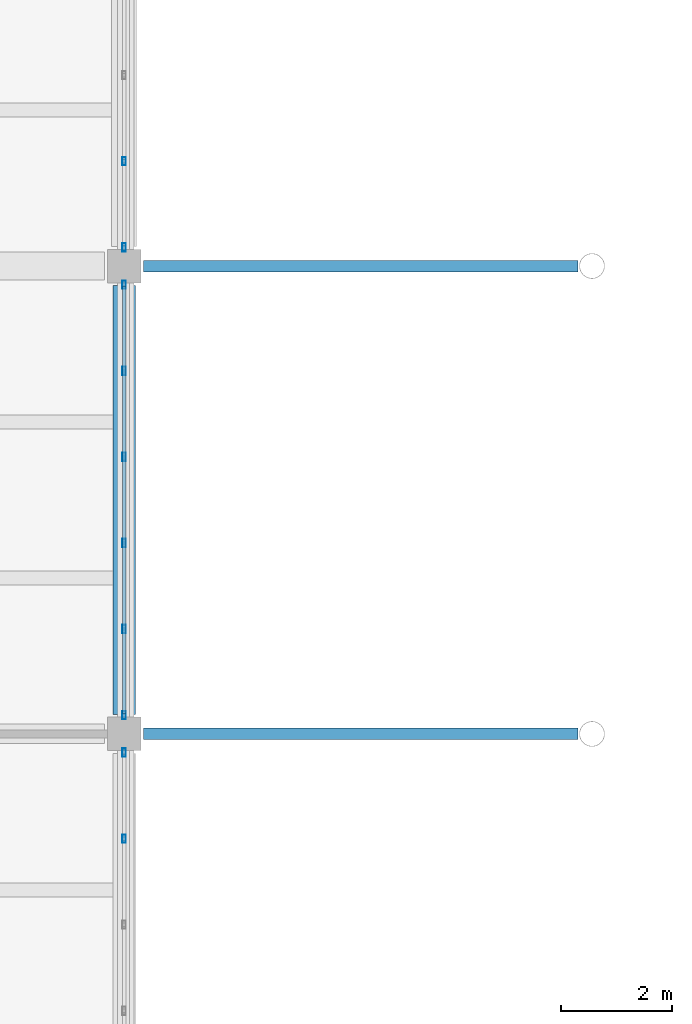
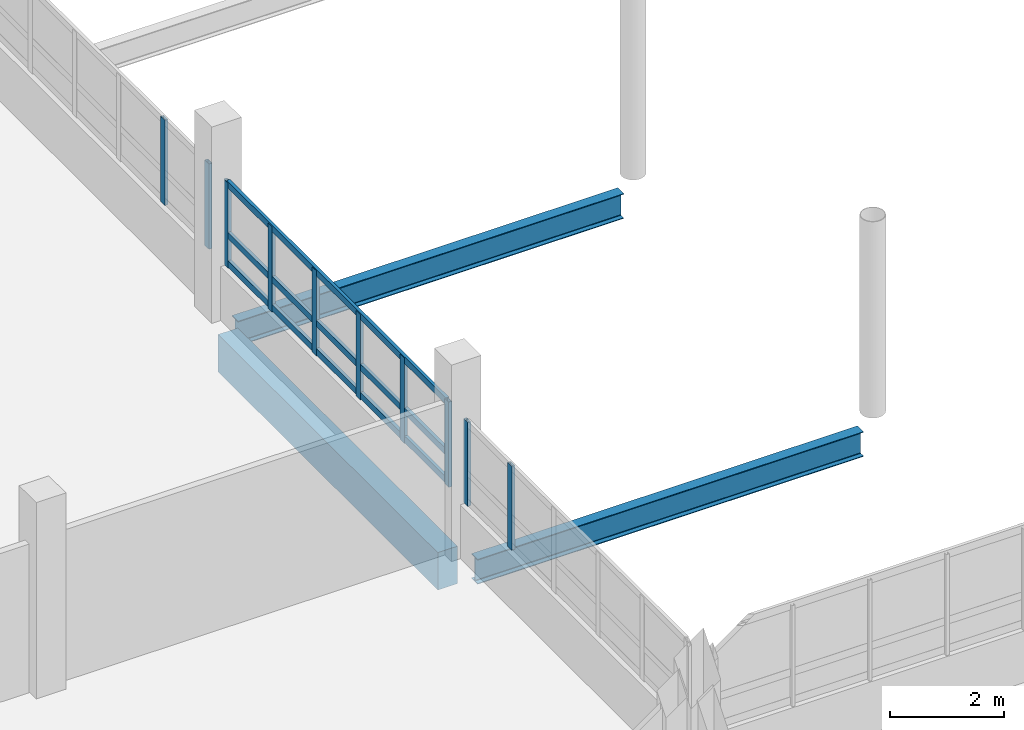
# One storey, part 26 of 101: 13 members, 3 beams, 3 elements without a shape of their own.
"""IFC4 building model written with IfcOpenShell, lengths in metres."""

from ifc_helpers import new_model, si_unit, direction, frame, origin, origin_2d, place, context, subcontext, project, spatial, rectangle, hollow_rectangle, i_section, extrude, material, layer, layer_set, material_profile, profile_set, type_object, element, aggregate, save


model = new_model("IFC4")

# Units and contexts
model_context = context("Model", 3, precision=1e-05, world=origin(), true_north=direction((0.0, 1.0)))
body_context = subcontext(model_context, "Body", "Model", "MODEL_VIEW")
ifc_project = project(units=[si_unit("LENGTHUNIT", "METRE"), si_unit("AREAUNIT", "SQUARE_METRE"), si_unit("VOLUMEUNIT", "CUBIC_METRE"), si_unit("PLANEANGLEUNIT", "RADIAN"), si_unit("MASSUNIT", "GRAM", prefix="KILO")], contexts=[model_context])

# Site, building, storey
site_placement = place(None, origin())
site = spatial("IfcSite", under=ifc_project, at=site_placement, CompositionType="ELEMENT")
building_placement = place(site_placement, origin())
building = spatial("IfcBuilding", under=site, at=building_placement, Name="Vireocrest Preparatory School", CompositionType="ELEMENT")
storey_placement = place(building_placement, frame((0.0, 0.0, 4.800048828125)))
storey = spatial("IfcBuildingStorey", under=building, at=storey_placement, Name="L01", CompositionType="ELEMENT", Elevation=4.800048828125)

# Curtain wall, members
ifc_material_1 = material(Name="Thermally broken aluminium EN AW-6063-T6", Category="aluminium")
ifc_layer = layer(ifc_material_1, 0.179931640625)
ifc_layer_set = layer_set([ifc_layer], Name="Thermally broken aluminium EN AW-6063-T6")
curtain_wall_type = type_object("IfcCurtainWallType", Name="Court Banded Curtain Wall 8400x3000", PredefinedType="USERDEFINED", material=ifc_layer_set)
curtain_wall_1_placement = place(storey_placement, origin())
curtain_wall_1 = element("IfcCurtainWall", 1, at=curtain_wall_1_placement, inside=storey, type_object=curtain_wall_type, Name="Curtain Wall CW02 CW_L01_CW02_0672_0273_060", ObjectType="CURTAIN WALL", PredefinedType="USERDEFINED")
ifc_material_profile_1 = material_profile(ifc_material_1, hollow_rectangle(XDim=0.06494140625, YDim=0.14990234375, WallThickness=0.00390625, at=origin_2d()), Name="ALU 65x150x4")
ifc_profile_set_1 = profile_set([ifc_material_profile_1], Name="Thermally broken aluminium EN AW-6063-T6")
member_type_1 = type_object("IfcMemberType", Name="CW Mullion 65x150x4", PredefinedType="MULLION", material=ifc_profile_set_1)
member_1_placement = place(storey_placement, frame((67.199951171875, 33.51904296875, 1.14990234375), z_axis=(0.0, 0.0, 1.0), x_axis=(1.0, 0.0, 0.0)))
member_1 = element("IfcMember", 2, at=member_1_placement, type_object=member_type_1, Name="CW Mullion ML1 CW_L01_CW02_0672_0273_060-5", PredefinedType="MULLION", context=body_context, shape_type="SweptSolid", body=[
    extrude(hollow_rectangle(XDim=0.06494140625, YDim=0.14990234375, WallThickness=0.00390625, at=origin_2d()), origin(), (0.0, 0.0, 1.0), 1.795166015625),
])
member_2_placement = place(storey_placement, frame((67.199951171875, 35.06494140625, 1.14990234375), z_axis=(0.0, 0.0, 1.0), x_axis=(1.0, 0.0, 0.0)))
member_2 = element("IfcMember", 3, at=member_2_placement, type_object=member_type_1, Name="CW Mullion ML1 CW_L01_CW02_0672_0273_060-6", PredefinedType="MULLION", context=body_context, shape_type="SweptSolid", body=[
    extrude(hollow_rectangle(XDim=0.06494140625, YDim=0.14990234375, WallThickness=0.00390625, at=origin_2d()), origin(), (0.0, 0.0, 1.0), 1.795166015625),
])
aggregate(curtain_wall_1, [member_1, member_2])

curtain_wall_2_placement = place(storey_placement, origin())
curtain_wall_2 = element("IfcCurtainWall", 4, at=curtain_wall_2_placement, inside=storey, type_object=curtain_wall_type, Name="Curtain Wall CW02 CW_L01_CW02_0672_0357_060", ObjectType="CURTAIN WALL", PredefinedType="USERDEFINED")
member_3_placement = place(storey_placement, frame((67.199951171875, 35.735107421875, 1.14990234375), z_axis=(0.0, 0.0, 1.0), x_axis=(1.0, 0.0, 0.0)))
member_3 = element("IfcMember", 5, at=member_3_placement, type_object=member_type_1, Name="CW Mullion ML1 CW_L01_CW02_0672_0357_060-1", PredefinedType="MULLION", context=body_context, shape_type="SweptSolid", body=[
    extrude(hollow_rectangle(XDim=0.06494140625, YDim=0.14990234375, WallThickness=0.00390625, at=origin_2d()), origin(), (0.0, 0.0, 1.0), 1.824951171875),
])
member_4_placement = place(storey_placement, frame((67.199951171875, 37.281005859375, 1.14990234375), z_axis=(0.0, 0.0, 1.0), x_axis=(1.0, 0.0, 0.0)))
member_4 = element("IfcMember", 6, at=member_4_placement, type_object=member_type_1, Name="CW Mullion ML1 CW_L01_CW02_0672_0357_060-2", PredefinedType="MULLION", context=body_context, shape_type="SweptSolid", body=[
    extrude(hollow_rectangle(XDim=0.06494140625, YDim=0.14990234375, WallThickness=0.00390625, at=origin_2d()), origin(), (0.0, 0.0, 1.0), 1.824951171875),
])
member_5_placement = place(storey_placement, frame((67.199951171875, 38.826904296875, 1.14990234375), z_axis=(0.0, 0.0, 1.0), x_axis=(1.0, 0.0, 0.0)))
member_5 = element("IfcMember", 7, at=member_5_placement, type_object=member_type_1, Name="CW Mullion ML1 CW_L01_CW02_0672_0357_060-3", PredefinedType="MULLION", context=body_context, shape_type="SweptSolid", body=[
    extrude(hollow_rectangle(XDim=0.06494140625, YDim=0.14990234375, WallThickness=0.00390625, at=origin_2d()), origin(), (0.0, 0.0, 1.0), 1.824951171875),
])
member_6_placement = place(storey_placement, frame((67.199951171875, 40.373046875, 1.14990234375), z_axis=(0.0, 0.0, 1.0), x_axis=(1.0, 0.0, 0.0)))
member_6 = element("IfcMember", 8, at=member_6_placement, type_object=member_type_1, Name="CW Mullion ML1 CW_L01_CW02_0672_0357_060-4", PredefinedType="MULLION", context=body_context, shape_type="SweptSolid", body=[
    extrude(hollow_rectangle(XDim=0.06494140625, YDim=0.14990234375, WallThickness=0.00390625, at=origin_2d()), origin(), (0.0, 0.0, 1.0), 1.824951171875),
])
member_7_placement = place(storey_placement, frame((67.199951171875, 41.9189453125, 1.14990234375), z_axis=(0.0, 0.0, 1.0), x_axis=(1.0, 0.0, 0.0)))
member_7 = element("IfcMember", 9, at=member_7_placement, type_object=member_type_1, Name="CW Mullion ML1 CW_L01_CW02_0672_0357_060-5", PredefinedType="MULLION", context=body_context, shape_type="SweptSolid", body=[
    extrude(hollow_rectangle(XDim=0.06494140625, YDim=0.14990234375, WallThickness=0.00390625, at=origin_2d()), origin(), (0.0, 0.0, 1.0), 1.824951171875),
])
member_8_placement = place(storey_placement, frame((67.199951171875, 43.465087890625, 1.14990234375), z_axis=(0.0, 0.0, 1.0), x_axis=(1.0, 0.0, 0.0)))
member_8 = element("IfcMember", 10, at=member_8_placement, type_object=member_type_1, Name="CW Mullion ML1 CW_L01_CW02_0672_0357_060-6", PredefinedType="MULLION", context=body_context, shape_type="SweptSolid", body=[
    extrude(hollow_rectangle(XDim=0.06494140625, YDim=0.14990234375, WallThickness=0.00390625, at=origin_2d()), origin(), (0.0, 0.0, 1.0), 1.824951171875),
])

curtain_wall_3_placement = place(storey_placement, origin())
curtain_wall_3 = element("IfcCurtainWall", 11, at=curtain_wall_3_placement, inside=storey, type_object=curtain_wall_type, Name="Curtain Wall CW02 CW_L01_CW02_0672_0441_060", ObjectType="CURTAIN WALL", PredefinedType="USERDEFINED")
member_9_placement = place(storey_placement, frame((67.199951171875, 44.135009765625, 1.14990234375), z_axis=(0.0, 0.0, 1.0), x_axis=(1.0, 0.0, 0.0)))
member_9 = element("IfcMember", 12, at=member_9_placement, type_object=member_type_1, Name="CW Mullion ML1 CW_L01_CW02_0672_0441_060-1", PredefinedType="MULLION", context=body_context, shape_type="SweptSolid", body=[
    extrude(hollow_rectangle(XDim=0.06494140625, YDim=0.14990234375, WallThickness=0.00390625, at=origin_2d()), origin(), (0.0, 0.0, 1.0), 1.824951171875),
])
member_10_placement = place(storey_placement, frame((67.199951171875, 45.680908203125, 1.14990234375), z_axis=(0.0, 0.0, 1.0), x_axis=(1.0, 0.0, 0.0)))
member_10 = element("IfcMember", 13, at=member_10_placement, type_object=member_type_1, Name="CW Mullion ML1 CW_L01_CW02_0672_0441_060-2", PredefinedType="MULLION", context=body_context, shape_type="SweptSolid", body=[
    extrude(hollow_rectangle(XDim=0.06494140625, YDim=0.14990234375, WallThickness=0.00390625, at=origin_2d()), origin(), (0.0, 0.0, 1.0), 1.824951171875),
])
aggregate(curtain_wall_3, [member_9, member_10])

# Member
ifc_material_profile_2 = material_profile(ifc_material_1, hollow_rectangle(XDim=0.06494140625, YDim=0.139892578125, WallThickness=0.00390625, at=origin_2d()), Name="ALU 65x140x4")
ifc_profile_set_2 = profile_set([ifc_material_profile_2], Name="Thermally broken aluminium EN AW-6063-T6")
member_type_2 = type_object("IfcMemberType", Name="CW Transom 65x140x4", PredefinedType="USERDEFINED", material=ifc_profile_set_2)
member_11_placement = place(storey_placement, frame((67.199951171875, 35.760009765625, 1.244873046875), z_axis=(0.0, 1.0, 0.0), x_axis=(-1.0, 0.0, 0.0)))
member_11 = element("IfcMember", 14, at=member_11_placement, type_object=member_type_2, Name="CW Transom TR1 CW_L01_CW02_0672_0357_060-1", ObjectType="TRANSOM", PredefinedType="USERDEFINED", context=body_context, shape_type="SweptSolid", body=[
    extrude(hollow_rectangle(XDim=0.06494140625, YDim=0.139892578125, WallThickness=0.00390625, at=origin_2d()), origin(), (0.0, 0.0, 1.0), 7.679931640625),
])

member_12_placement = place(storey_placement, frame((67.199951171875, 35.760009765625, 1.849853515625), z_axis=(0.0, 1.0, 0.0), x_axis=(-1.0, 0.0, 0.0)))
member_12 = element("IfcMember", 15, at=member_12_placement, type_object=member_type_2, Name="CW Transom TR1 CW_L01_CW02_0672_0357_060-2", ObjectType="TRANSOM", PredefinedType="USERDEFINED", context=body_context, shape_type="SweptSolid", body=[
    extrude(hollow_rectangle(XDim=0.06494140625, YDim=0.139892578125, WallThickness=0.00390625, at=origin_2d()), origin(), (0.0, 0.0, 1.0), 7.679931640625),
])

member_13_placement = place(storey_placement, frame((67.199951171875, 35.760009765625, 2.93505859375), z_axis=(0.0, 1.0, 0.0), x_axis=(-1.0, 0.0, 0.0)))
member_13 = element("IfcMember", 16, at=member_13_placement, type_object=member_type_2, Name="CW Transom TR1 CW_L01_CW02_0672_0357_060-3", ObjectType="TRANSOM", PredefinedType="USERDEFINED", context=body_context, shape_type="SweptSolid", body=[
    extrude(hollow_rectangle(XDim=0.06494140625, YDim=0.139892578125, WallThickness=0.00390625, at=origin_2d()), origin(), (0.0, 0.0, 1.0), 7.679931640625),
])

aggregate(curtain_wall_2, [member_3, member_4, member_5, member_6, member_7, member_8, member_11, member_12, member_13])

# Beams
ifc_material_2 = material(Name="Structural steel ASTM A992 Grade 50", Category="steel")
ifc_material_profile_3 = material_profile(ifc_material_2, i_section(OverallWidth=0.208984375, OverallDepth=0.532958984375, WebThickness=0.01025390625, FlangeThickness=0.015625, FilletRadius=0.014892578125, at=origin_2d()), Name="W21X62")
ifc_profile_set_3 = profile_set([ifc_material_profile_3], Name="Structural steel ASTM A992 Grade 50")
beam_type_1 = type_object("IfcBeamType", Name="Court Tie Girder W21X62", PredefinedType="BEAM", material=ifc_profile_set_3)
for number, where, z_axis, x_axis, name in (
    (17, (67.544921875, 35.39990234375, -0.566650390625), (1.0, 0.0, 0.0), (0.0, 1.0, 0.0), "Court Trunk Lateral Tie Girder SB5 W2 L01"),
    (18, (67.544921875, 43.800048828125, -0.566650390625), (1.0, 0.0, 0.0), (0.0, 1.0, 0.0), "Court Trunk Lateral Tie Girder SB5 W3 L01"),
):
    element("IfcBeam", number, at=place(storey_placement, frame(where, z_axis=z_axis, x_axis=x_axis)), inside=storey, type_object=beam_type_1, Name=name, PredefinedType="BEAM", context=body_context, shape_type="SweptSolid", body=[
        extrude(i_section(OverallWidth=0.208984375, OverallDepth=0.532958984375, WebThickness=0.01025390625, FlangeThickness=0.015625, FilletRadius=0.014892578125, at=origin_2d()), origin(), (0.0, 0.0, 1.0), 7.80615234375),
    ])
ifc_material_3 = material(Name="Concrete 40 MPa", Category="concrete")
ifc_material_profile_4 = material_profile(ifc_material_3, rectangle(XDim=0.39990234375, YDim=0.800048828125, at=origin_2d()), Name="RC 400x800")
ifc_profile_set_4 = profile_set([ifc_material_profile_4], Name="Concrete 40 MPa")
beam_type_2 = type_object("IfcBeamType", Name="RC Library Reading Girder 400x800", PredefinedType="BEAM", material=ifc_profile_set_4)
beam_placement = place(storey_placement, frame((67.199951171875, 35.75, -0.64013671875), z_axis=(0.0, 1.0, 0.0), x_axis=(-1.0, 0.0, 0.0)))
element("IfcBeam", 19, at=beam_placement, inside=storey, type_object=beam_type_2, Name="Primary Girder B10 L01-0417", PredefinedType="BEAM", context=body_context, shape_type="SweptSolid", body=[
    extrude(rectangle(XDim=0.39990234375, YDim=0.800048828125, at=origin_2d()), origin(), (0.0, 0.0, 1.0), 7.699951171875),
])

save(model, "model.ifc")
